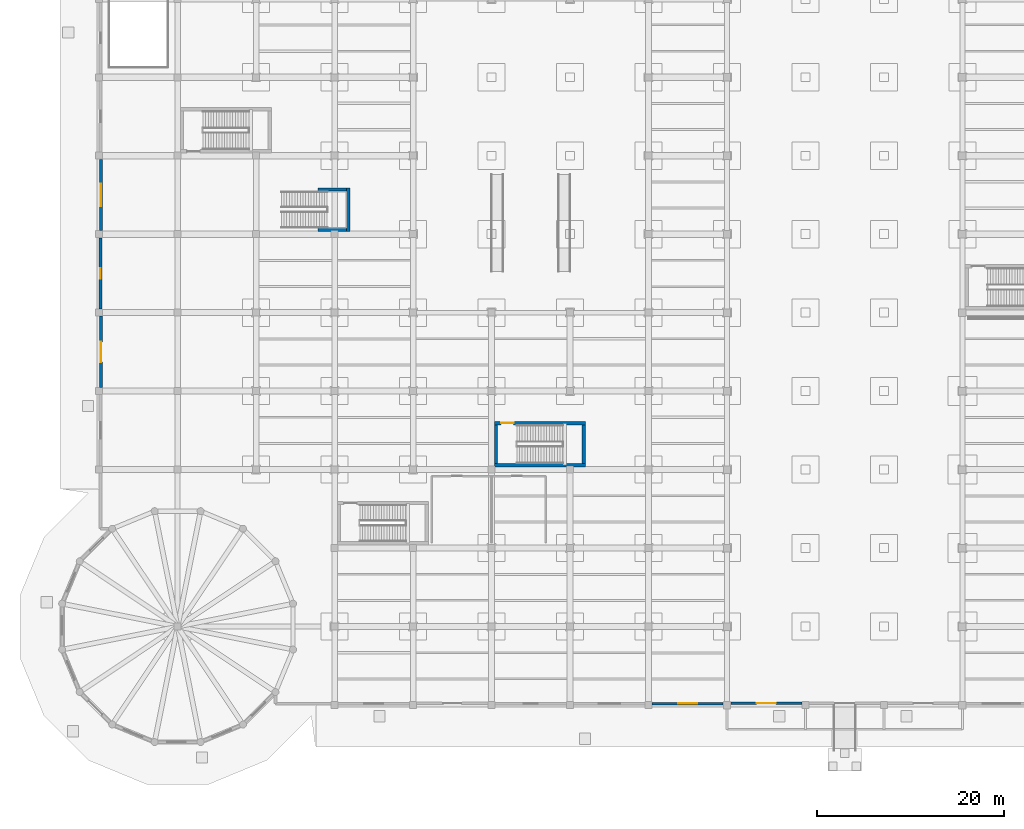
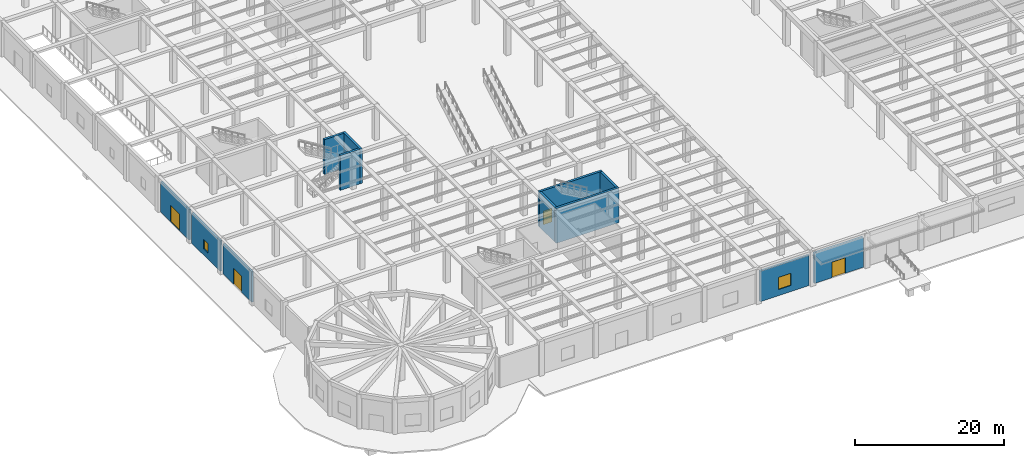
# One storey, part 23 of 43: 12 walls, 4 doors, 2 windows, 6 openings.
"""IFC4 building model written with IfcOpenShell, lengths in metres."""

from ifc_helpers import new_model, si_unit, direction, frame, frame_2d, origin, place, context, subcontext, project, spatial, rectangle, extrude, material, layer, layer_set, type_object, element, fill, save


model = new_model("IFC4")

# Units and contexts
model_context = context("Model", 3, precision=1e-05, world=origin(), true_north=direction((0.0, 1.0)))
body_context = subcontext(model_context, "Body", "Model", "MODEL_VIEW")
ifc_project = project(units=[si_unit("LENGTHUNIT", "METRE"), si_unit("AREAUNIT", "SQUARE_METRE"), si_unit("VOLUMEUNIT", "CUBIC_METRE"), si_unit("PLANEANGLEUNIT", "RADIAN"), si_unit("MASSUNIT", "GRAM", prefix="KILO")], contexts=[model_context])

# Site, building, storey
site_placement = place(None, origin())
site = spatial("IfcSite", under=ifc_project, at=site_placement, CompositionType="ELEMENT")
building_placement = place(site_placement, origin())
building = spatial("IfcBuilding", under=site, at=building_placement, Name="Almacenes y Pasaje Nevantli", CompositionType="ELEMENT")
storey_placement = place(building_placement, origin())
storey = spatial("IfcBuildingStorey", under=building, at=storey_placement, Name="L01", CompositionType="ELEMENT", Elevation=0.0)

# Wall
ifc_material_1 = material(Name="Concrete C45/55", Category="concrete")
ifc_layer_1 = layer(ifc_material_1, 0.35009765625)
ifc_layer_set_1 = layer_set([ifc_layer_1], Name="Concrete C45/55")
wall_type_1 = type_object("IfcWallType", Name="WL-CORE-350", PredefinedType="SHEAR", material=ifc_layer_set_1)
wall_1_placement = place(storey_placement, frame((42.300048828125, 25.675048828125, 0.0), z_axis=(0.0, 0.0, 1.0), x_axis=(1.0, 0.0, 0.0)))
element("IfcWall", 1, at=wall_1_placement, inside=storey, type_object=wall_type_1, Name="L01 Exit Stair ST-14 South Core Shear Wall", PredefinedType="SHEAR", context=body_context, shape_type="SweptSolid", body=[
    extrude(rectangle(XDim=9.75, YDim=0.35009765625, at=frame_2d((4.875, 0.0))), origin(), (0.0, 0.0, 1.0), 5.699951171875),
])

# Wall, opening, door
wall_2_placement = place(storey_placement, frame((42.300048828125, 30.175048828125, 0.0), z_axis=(0.0, 0.0, 1.0), x_axis=(1.0, 0.0, 0.0)))
wall_2 = element("IfcWall", 2, at=wall_2_placement, inside=storey, type_object=wall_type_1, Name="L01 Exit Stair ST-14 North Core Shear Wall", PredefinedType="SHEAR", context=body_context, shape_type="SweptSolid", body=[
    extrude(rectangle(XDim=9.75, YDim=0.35009765625, at=frame_2d((4.875, 0.0))), origin(), (0.0, 0.0, 1.0), 5.699951171875),
])
opening_1_placement = place(wall_2_placement, frame((0.719970703125, 0.0, 0.0)))
opening_1 = element("IfcOpeningElement", 3, at=opening_1_placement, cuts=wall_2, Name="Opening SD-14-L01", PredefinedType="OPENING", context=body_context, shape_type="SweptSolid", body=[
    extrude(rectangle(XDim=1.35009765625, YDim=2.25, at=frame_2d((0.675048828125, 1.125))), frame((0.0, 0.18505859375, 0.0), z_axis=(0.0, -1.0, 0.0), x_axis=(1.0, 0.0, 0.0)), (0.0, 0.0, 1.0), 0.3701171875),
])
ifc_material_2 = material(Name="Galvanized Fire-Rated Steel", Category="steel")
door_type_1 = type_object("IfcDoorType", Name="DR-STAIR-1350R", OperationType="SINGLE_SWING_RIGHT", PredefinedType="DOOR", material=ifc_material_2)
door_1_placement = place(opening_1_placement, origin())
door_1 = element("IfcDoor", 4, at=door_1_placement, inside=storey, type_object=door_type_1, Name="L01 Smokeproof Exit Stair ST-14 Fire Door", OperationType="SINGLE_SWING_RIGHT", OverallHeight=2.25, OverallWidth=1.35009765625, PredefinedType="DOOR", context=body_context, shape_type="SweptSolid", body=[
    extrude(rectangle(XDim=1.35009765625, YDim=2.25, at=frame_2d((0.675048828125, 1.125))), frame((0.0, 0.02490234375, 0.0), z_axis=(0.0, -1.0, 0.0), x_axis=(1.0, 0.0, 0.0)), (0.0, 0.0, 1.0), 0.050048828125),
])
fill(opening_1, door_1)

# Walls
for number, where, z_axis, x_axis, name in (
    (5, (42.47509765625, 25.85009765625, 0.0), (0.0, 0.0, 1.0), (0.0, 1.0, 0.0), "L01 Exit Stair ST-14 West Core Shear Wall"),
    (6, (51.875, 25.85009765625, 0.0), (0.0, 0.0, 1.0), (0.0, 1.0, 0.0), "L01 Exit Stair ST-14 East Core Shear Wall"),
):
    element("IfcWall", number, at=place(storey_placement, frame(where, z_axis=z_axis, x_axis=x_axis)), inside=storey, type_object=wall_type_1, Name=name, PredefinedType="SHEAR", context=body_context, shape_type="SweptSolid", body=[
        extrude(rectangle(XDim=4.14990234375, YDim=0.35009765625, at=frame_2d((2.074951171875, 0.0))), origin(), (0.0, 0.0, 1.0), 5.699951171875),
    ])
wall_3_placement = place(storey_placement, frame((26.675048828125, 50.699951171875, 0.0), z_axis=(0.0, 0.0, 1.0), x_axis=(0.0, 1.0, 0.0)))
element("IfcWall", 7, at=wall_3_placement, inside=storey, type_object=wall_type_1, Name="L01 Monumental Stair ST-09 East Support Fin Wall", PredefinedType="SHEAR", context=body_context, shape_type="SweptSolid", body=[
    extrude(rectangle(XDim=4.650146484375, YDim=0.35009765625, at=frame_2d((2.3251953125, 0.0))), origin(), (0.0, 0.0, 1.0), 5.699951171875),
])
for number, where, z_axis, x_axis, name in (
    (8, (23.449951171875, 50.875, 0.0), (0.0, 0.0, 1.0), (1.0, 0.0, 0.0), "L01 Monumental Stair ST-09 South Support Fin Wall"),
    (9, (23.449951171875, 55.175048828125, 0.0), (0.0, 0.0, 1.0), (1.0, 0.0, 0.0), "L01 Monumental Stair ST-09 North Support Fin Wall"),
):
    element("IfcWall", number, at=place(storey_placement, frame(where, z_axis=z_axis, x_axis=x_axis)), inside=storey, type_object=wall_type_1, Name=name, PredefinedType="SHEAR", context=body_context, shape_type="SweptSolid", body=[
        extrude(rectangle(XDim=3.050048828125, YDim=0.35009765625, at=frame_2d((1.52490234375, 0.0))), origin(), (0.0, 0.0, 1.0), 5.699951171875),
    ])

# Wall, opening, window
ifc_material_3 = material(Name="Architectural Precast Concrete C35/45 Plinth Wall", Category="concrete")
ifc_layer_2 = layer(ifc_material_3, 0.31005859375)
ifc_layer_set_2 = layer_set([ifc_layer_2], Name="Architectural Precast Concrete C35/45 Plinth Wall")
wall_type_2 = type_object("IfcWallType", Name="WL-EXT-RECINTO-310", PredefinedType="SOLIDWALL", material=ifc_layer_set_2)
wall_4_placement = place(storey_placement, frame((59.177978515625, 0.14990234375, 0.0), z_axis=(0.0, 0.0, 1.0), x_axis=(1.0, 0.0, 0.0)))
wall_4 = element("IfcWall", 10, at=wall_4_placement, inside=storey, type_object=wall_type_2, Name="L01 South Retail Spandrel Wall Bay 8", PredefinedType="SOLIDWALL", context=body_context, shape_type="SweptSolid", body=[
    extrude(rectangle(XDim=7.6201171875, YDim=0.31005859375, at=frame_2d((3.81005859375, 0.0))), origin(), (0.0, 0.0, 1.0), 4.97998046875),
])
opening_2_placement = place(wall_4_placement, frame((2.822021484375, 0.0, 1.0)))
opening_2 = element("IfcOpeningElement", 11, at=opening_2_placement, cuts=wall_4, Name="Opening WT-15-021", PredefinedType="OPENING", context=body_context, shape_type="SweptSolid", body=[
    extrude(rectangle(XDim=2.0, YDim=2.0, at=frame_2d((1.0, 1.0))), frame((0.0, 0.1650390625, 0.0), z_axis=(0.0, -1.0, 0.0), x_axis=(1.0, 0.0, 0.0)), (0.0, 0.0, 1.0), 0.330078125),
])
ifc_material_4 = material(Name="Thermally Broken Aluminium and Low-E Double Glazing", Category="aluminium")
window_type_1 = type_object("IfcWindowType", Name="WN-POD-2000x2000", PartitioningType="SINGLE_PANEL", PredefinedType="WINDOW", material=ifc_material_4)
window_1_placement = place(opening_2_placement, origin())
window_1 = element("IfcWindow", 12, at=window_1_placement, inside=storey, type_object=window_type_1, Name="L01 Exterior Window WT-15 #21", OverallHeight=2.0, OverallWidth=2.0, PartitioningType="SINGLE_PANEL", PredefinedType="WINDOW", context=body_context, shape_type="SweptSolid", body=[
    extrude(rectangle(XDim=2.0, YDim=2.0, at=frame_2d((1.0, 1.0))), frame((0.0, 0.030029296875, 0.0), z_axis=(0.0, -1.0, 0.0), x_axis=(1.0, 0.0, 0.0)), (0.0, 0.0, 1.0), 0.06005859375),
])
fill(opening_2, window_1)

# Wall, opening, door
wall_5_placement = place(storey_placement, frame((67.60400390625, 0.199951171875, 0.0), z_axis=(0.0, 0.0, 1.0), x_axis=(1.0, 0.0, 0.0)))
wall_5 = element("IfcWall", 13, at=wall_5_placement, inside=storey, type_object=wall_type_2, Name="L01 South Arcade Portal Entrance Wall Bay 9", PredefinedType="SOLIDWALL", context=body_context, shape_type="SweptSolid", body=[
    extrude(rectangle(XDim=7.617919921875, YDim=0.31005859375, at=frame_2d((3.80908203125, 0.0))), origin(), (0.0, 0.0, 1.0), 4.97998046875),
])
opening_3_placement = place(wall_5_placement, frame((2.77587890625, 0.0, 0.0)))
opening_3 = element("IfcOpeningElement", 14, at=opening_3_placement, cuts=wall_5, Name="Opening ED-L01-022", PredefinedType="OPENING", context=body_context, shape_type="SweptSolid", body=[
    extrude(rectangle(XDim=2.0400390625, YDim=2.550048828125, at=frame_2d((1.02001953125, 1.27490234375))), frame((0.0, 0.1650390625, 0.0), z_axis=(0.0, -1.0, 0.0), x_axis=(1.0, 0.0, 0.0)), (0.0, 0.0, 1.0), 0.330078125),
])
ifc_material_5 = material(Name="Anodized Aluminium and Safety Glass", Category="aluminium")
door_type_2 = type_object("IfcDoorType", Name="DR-EXT-DBL-2040", OperationType="DOUBLE_DOOR_SINGLE_SWING", PredefinedType="DOOR", material=ifc_material_5)
door_2_placement = place(opening_3_placement, origin())
door_2 = element("IfcDoor", 15, at=door_2_placement, inside=storey, type_object=door_type_2, Name="L01 South Arcade Portal Entrance Door #1", OperationType="DOUBLE_DOOR_SINGLE_SWING", OverallHeight=2.550048828125, OverallWidth=2.0400390625, PredefinedType="DOOR", context=body_context, shape_type="SweptSolid", body=[
    extrude(rectangle(XDim=2.0400390625, YDim=2.550048828125, at=frame_2d((1.02001953125, 1.27490234375))), frame((0.0, 0.02490234375, 0.0), z_axis=(0.0, -1.0, 0.0), x_axis=(1.0, 0.0, 0.0)), (0.0, 0.0, 1.0), 0.050048828125),
])
fill(opening_3, door_2)

wall_6_placement = place(storey_placement, frame((0.199951171875, 33.97802734375, 0.0), z_axis=(0.0, 0.0, 1.0), x_axis=(0.0, 1.0, 0.0)))
wall_6 = element("IfcWall", 16, at=wall_6_placement, inside=storey, type_object=wall_type_2, Name="L01 West Avenue Retail Entrance Wall Bay 5", PredefinedType="SOLIDWALL", context=body_context, shape_type="SweptSolid", body=[
    extrude(rectangle(XDim=7.64404296875, YDim=0.31005859375, at=frame_2d((3.822021484375, 0.0))), origin(), (0.0, 0.0, 1.0), 4.97998046875),
])
opening_4_placement = place(wall_6_placement, frame((2.741943359375, 0.0, 0.0)))
opening_4 = element("IfcOpeningElement", 17, at=opening_4_placement, cuts=wall_6, Name="Opening ED-L01-030", PredefinedType="OPENING", context=body_context, shape_type="SweptSolid", body=[
    extrude(rectangle(XDim=2.159912109375, YDim=2.60009765625, at=frame_2d((1.080078125, 1.300048828125))), frame((0.0, 0.1650390625, 0.0), z_axis=(0.0, -1.0, 0.0), x_axis=(1.0, 0.0, 0.0)), (0.0, 0.0, 1.0), 0.330078125),
])
ifc_material_6 = material(Name="Anodized Aluminium and Safety Glass", Category="aluminium")
door_type_3 = type_object("IfcDoorType", Name="DR-EXT-DBL-2160", OperationType="DOUBLE_DOOR_SINGLE_SWING", PredefinedType="DOOR", material=ifc_material_6)
door_3_placement = place(opening_4_placement, origin())
door_3 = element("IfcDoor", 18, at=door_3_placement, inside=storey, type_object=door_type_3, Name="L01 West Avenue Entrance Door Bay 5", OperationType="DOUBLE_DOOR_SINGLE_SWING", OverallHeight=2.60009765625, OverallWidth=2.159912109375, PredefinedType="DOOR", context=body_context, shape_type="SweptSolid", body=[
    extrude(rectangle(XDim=2.159912109375, YDim=2.60009765625, at=frame_2d((1.080078125, 1.300048828125))), frame((0.0, 0.02490234375, 0.0), z_axis=(0.0, -1.0, 0.0), x_axis=(1.0, 0.0, 0.0)), (0.0, 0.0, 1.0), 0.050048828125),
])
fill(opening_4, door_3)

# Wall, opening, window
wall_7_placement = place(storey_placement, frame((0.14990234375, 42.3779296875, 0.0), z_axis=(0.0, 0.0, 1.0), x_axis=(0.0, 1.0, 0.0)))
wall_7 = element("IfcWall", 19, at=wall_7_placement, inside=storey, type_object=wall_type_2, Name="L01 West Avenue Cantera Wall Bay 6", PredefinedType="SOLIDWALL", context=body_context, shape_type="SweptSolid", body=[
    extrude(rectangle(XDim=7.64404296875, YDim=0.31005859375, at=frame_2d((3.822021484375, 0.0))), origin(), (0.0, 0.0, 1.0), 4.97998046875),
])
opening_5_placement = place(wall_7_placement, frame((3.27197265625, 0.0, 1.050048828125)))
opening_5 = element("IfcOpeningElement", 20, at=opening_5_placement, cuts=wall_7, Name="Opening WT-19-027", PredefinedType="OPENING", context=body_context, shape_type="SweptSolid", body=[
    extrude(rectangle(XDim=1.10009765625, YDim=1.5, at=frame_2d((0.550048828125, 0.75))), frame((0.0, 0.1650390625, 0.0), z_axis=(0.0, -1.0, 0.0), x_axis=(1.0, 0.0, 0.0)), (0.0, 0.0, 1.0), 0.330078125),
])
ifc_material_7 = material(Name="Thermally Broken Aluminium and Low-E Double Glazing", Category="aluminium")
window_type_2 = type_object("IfcWindowType", Name="WN-POD-1100x1500", PartitioningType="SINGLE_PANEL", PredefinedType="WINDOW", material=ifc_material_7)
window_2_placement = place(opening_5_placement, origin())
window_2 = element("IfcWindow", 21, at=window_2_placement, inside=storey, type_object=window_type_2, Name="L01 Exterior Window WT-19 #27", OverallHeight=1.5, OverallWidth=1.10009765625, PartitioningType="SINGLE_PANEL", PredefinedType="WINDOW", context=body_context, shape_type="SweptSolid", body=[
    extrude(rectangle(XDim=1.10009765625, YDim=1.5, at=frame_2d((0.550048828125, 0.75))), frame((0.0, 0.030029296875, 0.0), z_axis=(0.0, -1.0, 0.0), x_axis=(1.0, 0.0, 0.0)), (0.0, 0.0, 1.0), 0.06005859375),
])
fill(opening_5, window_2)

# Wall, opening, door
wall_8_placement = place(storey_placement, frame((0.199951171875, 50.778076171875, 0.0), z_axis=(0.0, 0.0, 1.0), x_axis=(0.0, 1.0, 0.0)))
wall_8 = element("IfcWall", 22, at=wall_8_placement, inside=storey, type_object=wall_type_2, Name="L01 West Avenue Retail Entrance Wall Bay 7", PredefinedType="SOLIDWALL", context=body_context, shape_type="SweptSolid", body=[
    extrude(rectangle(XDim=7.64404296875, YDim=0.31005859375, at=frame_2d((3.822021484375, 0.0))), origin(), (0.0, 0.0, 1.0), 4.97998046875),
])
opening_6_placement = place(wall_8_placement, frame((2.6220703125, 0.0, 0.0)))
opening_6 = element("IfcOpeningElement", 23, at=opening_6_placement, cuts=wall_8, Name="Opening ED-L01-031", PredefinedType="OPENING", context=body_context, shape_type="SweptSolid", body=[
    extrude(rectangle(XDim=2.39990234375, YDim=2.699951171875, at=frame_2d((1.199951171875, 1.35009765625))), frame((0.0, 0.1650390625, 0.0), z_axis=(0.0, -1.0, 0.0), x_axis=(1.0, 0.0, 0.0)), (0.0, 0.0, 1.0), 0.330078125),
])
ifc_material_8 = material(Name="Anodized Aluminium and Safety Glass", Category="aluminium")
door_type_4 = type_object("IfcDoorType", Name="DR-EXT-DBL-2400", OperationType="DOUBLE_DOOR_SINGLE_SWING", PredefinedType="DOOR", material=ifc_material_8)
door_4_placement = place(opening_6_placement, origin())
door_4 = element("IfcDoor", 24, at=door_4_placement, inside=storey, type_object=door_type_4, Name="L01 West Avenue Entrance Door Bay 7", OperationType="DOUBLE_DOOR_SINGLE_SWING", OverallHeight=2.699951171875, OverallWidth=2.39990234375, PredefinedType="DOOR", context=body_context, shape_type="SweptSolid", body=[
    extrude(rectangle(XDim=2.39990234375, YDim=2.699951171875, at=frame_2d((1.199951171875, 1.35009765625))), frame((0.0, 0.02490234375, 0.0), z_axis=(0.0, -1.0, 0.0), x_axis=(1.0, 0.0, 0.0)), (0.0, 0.0, 1.0), 0.050048828125),
])
fill(opening_6, door_4)

save(model, "model.ifc")
